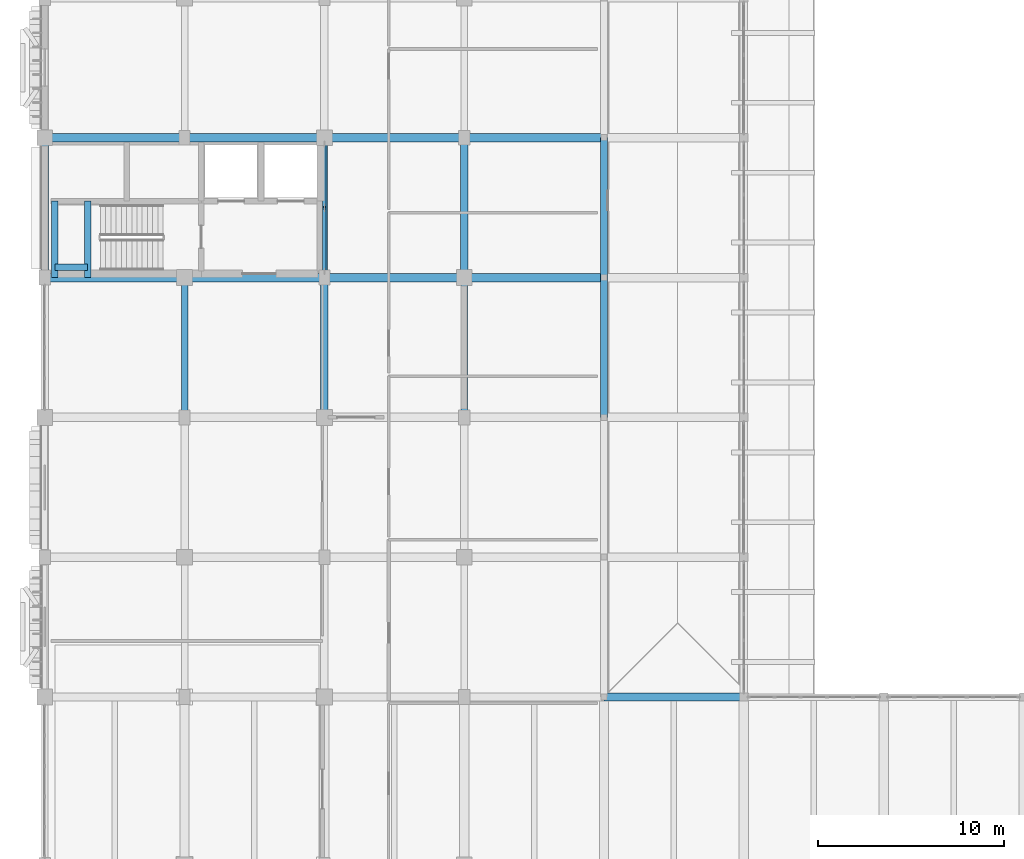
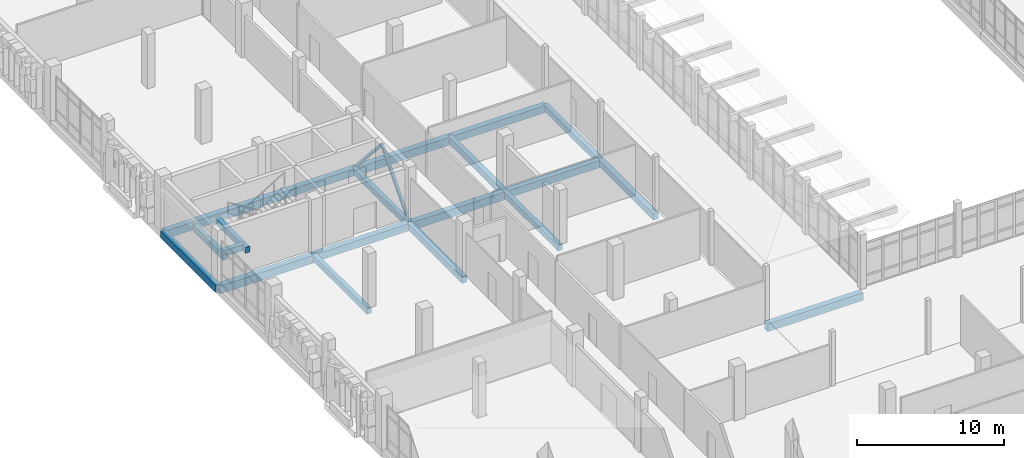
# One storey, part 20 of 128: 20 beams, 2 members.
"""IFC4 building model written with IfcOpenShell, lengths in metres."""

from ifc_helpers import new_model, si_unit, direction, frame, origin, origin_2d, place, context, subcontext, project, spatial, rectangle, hollow_rectangle, extrude, material, material_profile, profile_set, type_object, element, save


model = new_model("IFC4")

# Units and contexts
model_context = context("Model", 3, precision=1e-05, world=origin(), true_north=direction((0.0, 1.0)))
body_context = subcontext(model_context, "Body", "Model", "MODEL_VIEW")
ifc_project = project(units=[si_unit("LENGTHUNIT", "METRE"), si_unit("AREAUNIT", "SQUARE_METRE"), si_unit("VOLUMEUNIT", "CUBIC_METRE"), si_unit("PLANEANGLEUNIT", "RADIAN"), si_unit("MASSUNIT", "GRAM", prefix="KILO")], contexts=[model_context])

# Site, building, storey
site_placement = place(None, origin())
site = spatial("IfcSite", under=ifc_project, at=site_placement, CompositionType="ELEMENT")
building_placement = place(site_placement, origin())
building = spatial("IfcBuilding", under=site, at=building_placement, Name="Dalvernix Boulevard General Hospital", CompositionType="ELEMENT")
storey_placement = place(building_placement, frame((0.0, 0.0, 4.800048828125)))
storey = spatial("IfcBuildingStorey", under=building, at=storey_placement, Name="L01", CompositionType="ELEMENT", Elevation=4.800048828125)

# Beams
ifc_material_1 = material(Name="Concrete C35/45", Category="concrete")
ifc_material_profile_1 = material_profile(ifc_material_1, rectangle(XDim=0.449951171875, YDim=0.64990234375, at=origin_2d()), Name="RCB 450x650")
ifc_profile_set_1 = profile_set([ifc_material_profile_1], Name="Concrete C35/45")
beam_type_1 = type_object("IfcBeamType", Name="BM-B-03-I", PredefinedType="BEAM", material=ifc_profile_set_1)
for number, where, z_axis, x_axis, name in (
    (1, (30.0, 31.5, -0.625), (1.0, 0.0, 0.0), (0.0, 1.0, 0.0), "L01 E-W girder E:5-6"),
    (2, (0.0, 54.0, -0.625), (1.0, 0.0, 0.0), (0.0, 1.0, 0.0), "L01 E-W girder H:1-2"),
    (3, (15.0, 54.0, -0.625), (1.0, 0.0, 0.0), (0.0, 1.0, 0.0), "L01 E-W girder H:3-4"),
    (4, (0.0, 61.5, -0.625), (1.0, 0.0, 0.0), (0.0, 1.0, 0.0), "L01 E-W girder J:1-2"),
    (5, (15.0, 61.5, -0.625), (1.0, 0.0, 0.0), (0.0, 1.0, 0.0), "L01 E-W girder J:3-4"),
):
    element("IfcBeam", number, at=place(storey_placement, frame(where, z_axis=z_axis, x_axis=x_axis)), inside=storey, type_object=beam_type_1, Name=name, PredefinedType="BEAM", context=body_context, shape_type="SweptSolid", body=[
        extrude(rectangle(XDim=0.449951171875, YDim=0.64990234375, at=origin_2d()), origin(), (0.0, 0.0, 1.0), 7.5),
    ])
ifc_material_profile_2 = material_profile(ifc_material_1, rectangle(XDim=0.449951171875, YDim=0.60009765625, at=origin_2d()), Name="RCB 450x600")
ifc_profile_set_2 = profile_set([ifc_material_profile_2], Name="Concrete C35/45")
beam_type_2 = type_object("IfcBeamType", Name="BM-B-04-I", PredefinedType="BEAM", material=ifc_profile_set_2)
for number, where, z_axis, x_axis, name in (
    (6, (7.5, 54.0, -0.60009765625), (1.0, 0.0, 0.0), (0.0, 1.0, 0.0), "L01 E-W girder H:2-3"),
    (7, (22.5, 54.0, -0.60009765625), (1.0, 0.0, 0.0), (0.0, 1.0, 0.0), "L01 E-W girder H:4-5"),
    (8, (7.5, 61.5, -0.60009765625), (1.0, 0.0, 0.0), (0.0, 1.0, 0.0), "L01 E-W girder J:2-3"),
    (9, (22.5, 61.5, -0.60009765625), (1.0, 0.0, 0.0), (0.0, 1.0, 0.0), "L01 E-W girder J:4-5"),
):
    element("IfcBeam", number, at=place(storey_placement, frame(where, z_axis=z_axis, x_axis=x_axis)), inside=storey, type_object=beam_type_2, Name=name, PredefinedType="BEAM", context=body_context, shape_type="SweptSolid", body=[
        extrude(rectangle(XDim=0.449951171875, YDim=0.60009765625, at=origin_2d()), origin(), (0.0, 0.0, 1.0), 7.5),
    ])
ifc_material_profile_3 = material_profile(ifc_material_1, rectangle(XDim=0.39990234375, YDim=0.550048828125, at=origin_2d()), Name="RCB 400x550")
ifc_profile_set_3 = profile_set([ifc_material_profile_3], Name="Concrete C35/45")
beam_type_3 = type_object("IfcBeamType", Name="BM-B-06-I", PredefinedType="BEAM", material=ifc_profile_set_3)
for number, where, z_axis, x_axis, name in (
    (10, (15.0, 46.5, -0.574951171875), (0.0, 1.0, 0.0), (-1.0, 0.0, 0.0), "L01 N-S girder 3:G-H"),
    (11, (22.5, 54.0, -0.574951171875), (0.0, 1.0, 0.0), (-1.0, 0.0, 0.0), "L01 N-S girder 4:H-J"),
    (12, (30.0, 46.5, -0.574951171875), (0.0, 1.0, 0.0), (-1.0, 0.0, 0.0), "L01 N-S girder 5:G-H"),
):
    element("IfcBeam", number, at=place(storey_placement, frame(where, z_axis=z_axis, x_axis=x_axis)), inside=storey, type_object=beam_type_3, Name=name, PredefinedType="BEAM", context=body_context, shape_type="SweptSolid", body=[
        extrude(rectangle(XDim=0.39990234375, YDim=0.550048828125, at=origin_2d()), origin(), (0.0, 0.0, 1.0), 7.5),
    ])
ifc_material_profile_4 = material_profile(ifc_material_1, rectangle(XDim=0.35009765625, YDim=0.5, at=origin_2d()), Name="RCB 350x500")
ifc_profile_set_4 = profile_set([ifc_material_profile_4], Name="Concrete C35/45")
beam_type_4 = type_object("IfcBeamType", Name="BM-B-08", PredefinedType="BEAM", material=ifc_profile_set_4)
for number, where, z_axis, x_axis, name in (
    (13, (0.550048828125, 54.0, 1.800048828125), (0.0, 1.0, 0.0), (-1.0, 0.0, 0.0), "L01 C2 stair half-landing beam 1"),
    (14, (2.300048828125, 54.0, 1.800048828125), (0.0, 1.0, 0.0), (-1.0, 0.0, 0.0), "L01 C2 stair half-landing beam 2"),
):
    element("IfcBeam", number, at=place(storey_placement, frame(where, z_axis=z_axis, x_axis=x_axis)), inside=storey, type_object=beam_type_4, Name=name, PredefinedType="BEAM", context=body_context, shape_type="SweptSolid", body=[
        extrude(rectangle(XDim=0.35009765625, YDim=0.5, at=origin_2d()), origin(), (0.0, 0.0, 1.0), 4.10009765625),
    ])
beam_1_placement = place(storey_placement, frame((0.550048828125, 54.550048828125, 1.800048828125), z_axis=(1.0, 0.0, 0.0), x_axis=(0.0, 1.0, 0.0)))
element("IfcBeam", 15, at=beam_1_placement, inside=storey, type_object=beam_type_4, Name="L01 C2 stair half-landing tie beam", PredefinedType="BEAM", context=body_context, shape_type="SweptSolid", body=[
    extrude(rectangle(XDim=0.35009765625, YDim=0.5, at=origin_2d()), origin(), (0.0, 0.0, 1.0), 1.75),
])
ifc_material_profile_5 = material_profile(ifc_material_1, rectangle(XDim=0.35009765625, YDim=0.5, at=origin_2d()), Name="RCB 350x500")
ifc_profile_set_5 = profile_set([ifc_material_profile_5], Name="Concrete C35/45")
beam_type_5 = type_object("IfcBeamType", Name="BM-B-08-I", PredefinedType="BEAM", material=ifc_profile_set_5)
for number, where, z_axis, x_axis, name in (
    (16, (7.5, 46.5, -0.550048828125), (0.0, 1.0, 0.0), (-1.0, 0.0, 0.0), "L01 N-S girder 2:G-H"),
    (17, (15.0, 54.0, -0.550048828125), (0.0, 1.0, 0.0), (-1.0, 0.0, 0.0), "L01 N-S girder 3:H-J"),
    (18, (22.5, 46.5, -0.550048828125), (0.0, 1.0, 0.0), (-1.0, 0.0, 0.0), "L01 N-S girder 4:G-H"),
    (19, (30.0, 54.0, -0.550048828125), (0.0, 1.0, 0.0), (-1.0, 0.0, 0.0), "L01 N-S girder 5:H-J"),
):
    element("IfcBeam", number, at=place(storey_placement, frame(where, z_axis=z_axis, x_axis=x_axis)), inside=storey, type_object=beam_type_5, Name=name, PredefinedType="BEAM", context=body_context, shape_type="SweptSolid", body=[
        extrude(rectangle(XDim=0.35009765625, YDim=0.5, at=origin_2d()), origin(), (0.0, 0.0, 1.0), 7.5),
    ])
ifc_material_profile_6 = material_profile(ifc_material_1, rectangle(XDim=0.39990234375, YDim=0.60009765625, at=origin_2d()), Name="RCB 400x600")
ifc_profile_set_6 = profile_set([ifc_material_profile_6], Name="Concrete C35/45")
beam_type_6 = type_object("IfcBeamType", Name="BM-SB-02-E", PredefinedType="SPANDREL", material=ifc_profile_set_6)
beam_2_placement = place(storey_placement, frame((0.0, 54.0, -0.60009765625), z_axis=(0.0, 1.0, 0.0), x_axis=(-1.0, 0.0, 0.0)))
element("IfcBeam", 20, at=beam_2_placement, inside=storey, type_object=beam_type_6, Name="L01 N-S girder 1:H-J", PredefinedType="SPANDREL", context=body_context, shape_type="SweptSolid", body=[
    extrude(rectangle(XDim=0.39990234375, YDim=0.60009765625, at=origin_2d()), origin(), (0.0, 0.0, 1.0), 7.5),
])

# Members
ifc_material_2 = material(Name="Steel S355", Category="steel")
ifc_material_profile_7 = material_profile(ifc_material_2, hollow_rectangle(XDim=0.199951171875, YDim=0.199951171875, WallThickness=0.010009765625, at=origin_2d()), Name="SHS 200x200x10.0")
ifc_profile_set_7 = profile_set([ifc_material_profile_7], Name="Steel S355")
member_type = type_object("IfcMemberType", Name="MEM-BR-02", PredefinedType="BRACE", material=ifc_profile_set_7)
for number, where, z_axis, x_axis, name in (
    (21, (15.0, 54.35009765625, 0.0), (0.0, 0.663884349069, 0.747835256631), (-1.0, 0.0, 0.0), "L01 braced frame chevron 2A"),
    (22, (15.0, 61.14990234375, 0.0), (0.0, -0.663884349069, 0.747835256631), (1.0, 0.0, 0.0), "L01 braced frame chevron 2B"),
):
    element("IfcMember", number, at=place(storey_placement, frame(where, z_axis=z_axis, x_axis=x_axis)), inside=storey, type_object=member_type, Name=name, PredefinedType="BRACE", context=body_context, shape_type="SweptSolid", body=[
        extrude(hollow_rectangle(XDim=0.199951171875, YDim=0.199951171875, WallThickness=0.010009765625, at=origin_2d()), origin(), (0.0, 0.0, 1.0), 5.121337890625),
    ])

save(model, "model.ifc")
